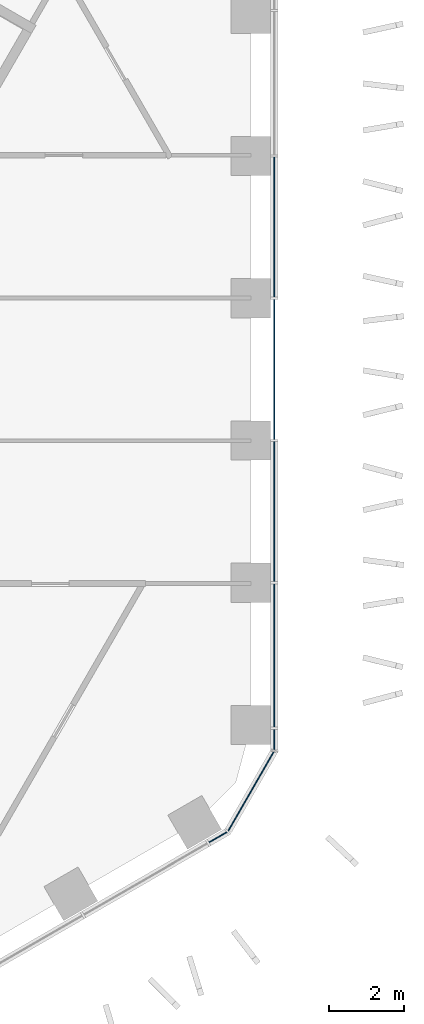
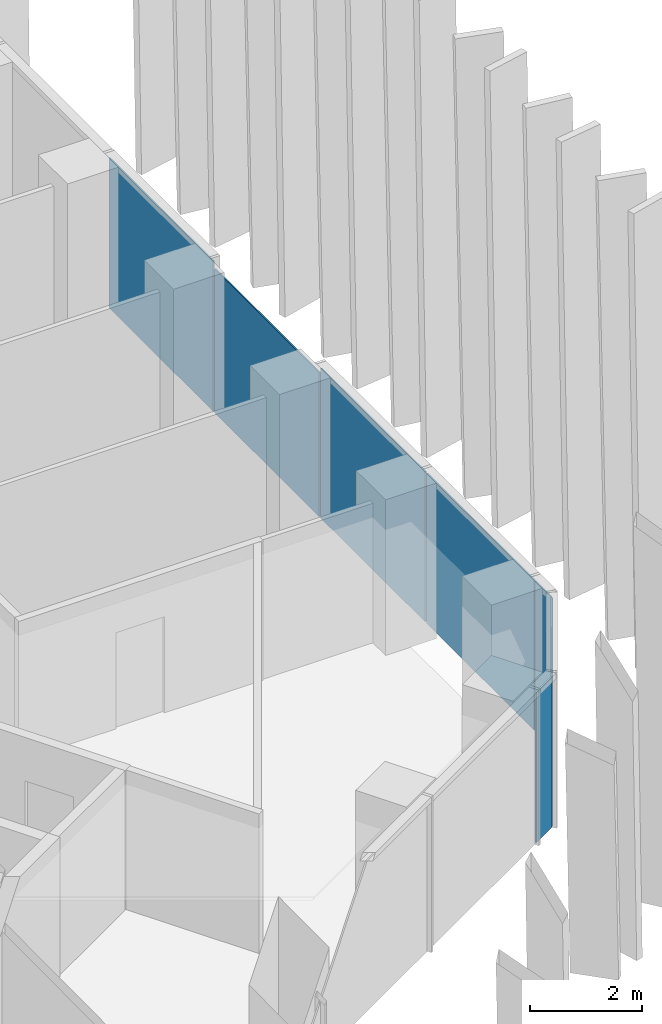
# One storey, part 10 of 18: 7 plates, 2 elements without a shape of their own.
"""IFC4 building model written with IfcOpenShell, lengths in metres."""

from ifc_helpers import new_model, si_unit, direction, frame, origin, origin_2d, place, context, subcontext, project, spatial, rectangle, extrude, material, layer, layer_set, type_object, element, aggregate, save


model = new_model("IFC4")

# Units and contexts
model_context = context("Model", 3, precision=1e-05, world=origin(), true_north=direction((0.0, 1.0)))
body_context = subcontext(model_context, "Body", "Model", "MODEL_VIEW")
ifc_project = project(units=[si_unit("LENGTHUNIT", "METRE"), si_unit("AREAUNIT", "SQUARE_METRE"), si_unit("VOLUMEUNIT", "CUBIC_METRE"), si_unit("PLANEANGLEUNIT", "RADIAN"), si_unit("MASSUNIT", "GRAM", prefix="KILO")], contexts=[model_context])

# Site, building, storey
site_placement = place(None, origin())
site = spatial("IfcSite", under=ifc_project, at=site_placement, CompositionType="ELEMENT")
building_placement = place(site_placement, origin())
building = spatial("IfcBuilding", under=site, at=building_placement, Name="Ayvan Gate Tower", CompositionType="ELEMENT")
storey_placement = place(building_placement, frame((0.0, 0.0, 83.10009765625)))
storey = spatial("IfcBuildingStorey", under=building, at=storey_placement, Name="L21", CompositionType="ELEMENT", Elevation=83.10009765625)

# Curtain wall, plates
ifc_material_1 = material(Name="Bronze anodised aluminium", Category="aluminium")
ifc_layer_1 = layer(ifc_material_1, 0.199951171875)
ifc_layer_set_1 = layer_set([ifc_layer_1], Name="Bronze anodised aluminium")
curtain_wall_type_1 = type_object("IfcCurtainWallType", Name="Stick curtain wall CW-1", PredefinedType="NOTDEFINED", material=ifc_layer_set_1)
curtain_wall_1_placement = place(storey_placement, origin())
curtain_wall_1 = element("IfcCurtainWall", 1, at=curtain_wall_1_placement, inside=storey, type_object=curtain_wall_type_1, Name="Stick curtain wall CW-1 L21", PredefinedType="NOTDEFINED")
ifc_material_2 = material(Name="Clear low-iron laminated glass", Category="glass")
ifc_layer_2 = layer(ifc_material_2, 0.028076171875)
ifc_layer_set_2 = layer_set([ifc_layer_2], Name="Clear low-iron laminated glass")
plate_type_1 = type_object("IfcPlateType", Name="Stick curtain wall CW-1 glass panel", PredefinedType="CURTAIN_PANEL", material=ifc_layer_set_2)
plate_1_placement = place(storey_placement, frame((20.110595703125, -7.645263671875, 0.0), z_axis=(0.0, 0.0, 1.0), x_axis=(0.0, 1.0, 0.0)))
plate_1 = element("IfcPlate", 2, at=plate_1_placement, type_object=plate_type_1, Name="CW-1 glass panel 1", PredefinedType="CURTAIN_PANEL", context=body_context, shape_type="SweptSolid", body=[
    extrude(rectangle(XDim=3.85009765625, YDim=0.028076171875, at=origin_2d()), origin(), (0.0, 0.0, 1.0), 3.280029296875),
])
plate_2_placement = place(storey_placement, frame((20.110595703125, -3.793701171875, 0.0), z_axis=(0.0, 0.0, 1.0), x_axis=(0.0, 1.0, 0.0)))
plate_2 = element("IfcPlate", 3, at=plate_2_placement, type_object=plate_type_1, Name="CW-1 glass panel 2", PredefinedType="CURTAIN_PANEL", context=body_context, shape_type="SweptSolid", body=[
    extrude(rectangle(XDim=3.73291015625, YDim=0.028076171875, at=origin_2d()), origin(), (0.0, 0.0, 1.0), 3.280029296875),
])
plate_3_placement = place(storey_placement, frame((20.110595703125, -0.000244140625, 0.0), z_axis=(0.0, 0.0, 1.0), x_axis=(0.0, 1.0, 0.0)))
plate_3 = element("IfcPlate", 4, at=plate_3_placement, type_object=plate_type_1, Name="CW-1 glass panel 3", PredefinedType="CURTAIN_PANEL", context=body_context, shape_type="SweptSolid", body=[
    extrude(rectangle(XDim=3.73388671875, YDim=0.028076171875, at=origin_2d()), origin(), (0.0, 0.0, 1.0), 3.14990234375),
])
plate_4_placement = place(storey_placement, frame((20.110595703125, 3.793212890625, 0.0), z_axis=(0.0, 0.0, 1.0), x_axis=(0.0, 1.0, 0.0)))
plate_4 = element("IfcPlate", 5, at=plate_4_placement, type_object=plate_type_1, Name="CW-1 glass panel 4", PredefinedType="CURTAIN_PANEL", context=body_context, shape_type="SweptSolid", body=[
    extrude(rectangle(XDim=3.73291015625, YDim=0.028076171875, at=origin_2d()), origin(), (0.0, 0.0, 1.0), 3.280029296875),
])
aggregate(curtain_wall_1, [plate_1, plate_2, plate_3, plate_4])

ifc_layer_3 = layer(ifc_material_1, 0.199951171875)
ifc_layer_set_3 = layer_set([ifc_layer_3], Name="Bronze anodised aluminium")
curtain_wall_type_2 = type_object("IfcCurtainWallType", Name="Stick curtain wall CW-6", PredefinedType="NOTDEFINED", material=ifc_layer_set_3)
curtain_wall_2_placement = place(storey_placement, origin())
curtain_wall_2 = element("IfcCurtainWall", 6, at=curtain_wall_2_placement, inside=storey, type_object=curtain_wall_type_2, Name="Stick curtain wall CW-6 L21", PredefinedType="NOTDEFINED")
ifc_layer_4 = layer(ifc_material_2, 0.028076171875)
ifc_layer_set_4 = layer_set([ifc_layer_4], Name="Clear low-iron laminated glass")
plate_type_2 = type_object("IfcPlateType", Name="Stick curtain wall CW-6 glass panel", PredefinedType="CURTAIN_PANEL", material=ifc_layer_set_4)
plate_5_placement = place(storey_placement, frame((18.607421875, -12.478759765625, 0.0), z_axis=(0.0, 0.0, 1.0), x_axis=(0.866025403784, 0.5, 0.0)))
plate_5 = element("IfcPlate", 7, at=plate_5_placement, type_object=plate_type_2, Name="CW-6 glass panel 1", PredefinedType="CURTAIN_PANEL", context=body_context, shape_type="SweptSolid", body=[
    extrude(rectangle(XDim=0.550048828125, YDim=0.028076171875, at=origin_2d()), origin(), (0.0, 0.0, 1.0), 3.280029296875),
])
plate_6_placement = place(storey_placement, frame((19.489013671875, -11.251953125, 0.0), z_axis=(0.0, 0.0, 1.0), x_axis=(0.5, 0.866025403784, 0.0)))
plate_6 = element("IfcPlate", 8, at=plate_6_placement, type_object=plate_type_2, Name="CW-6 glass panel 2", PredefinedType="CURTAIN_PANEL", context=body_context, shape_type="SweptSolid", body=[
    extrude(rectangle(XDim=2.4365234375, YDim=0.028076171875, at=origin_2d()), origin(), (0.0, 0.0, 1.0), 3.280029296875),
])
plate_7_placement = place(storey_placement, frame((20.110595703125, -9.875244140625, 0.0), z_axis=(0.0, 0.0, 1.0), x_axis=(0.0, 1.0, 0.0)))
plate_7 = element("IfcPlate", 9, at=plate_7_placement, type_object=plate_type_2, Name="CW-6 glass panel 3", PredefinedType="CURTAIN_PANEL", context=body_context, shape_type="SweptSolid", body=[
    extrude(rectangle(XDim=0.550048828125, YDim=0.028076171875, at=origin_2d()), origin(), (0.0, 0.0, 1.0), 3.280029296875),
])
aggregate(curtain_wall_2, [plate_5, plate_6, plate_7])

save(model, "model.ifc")
